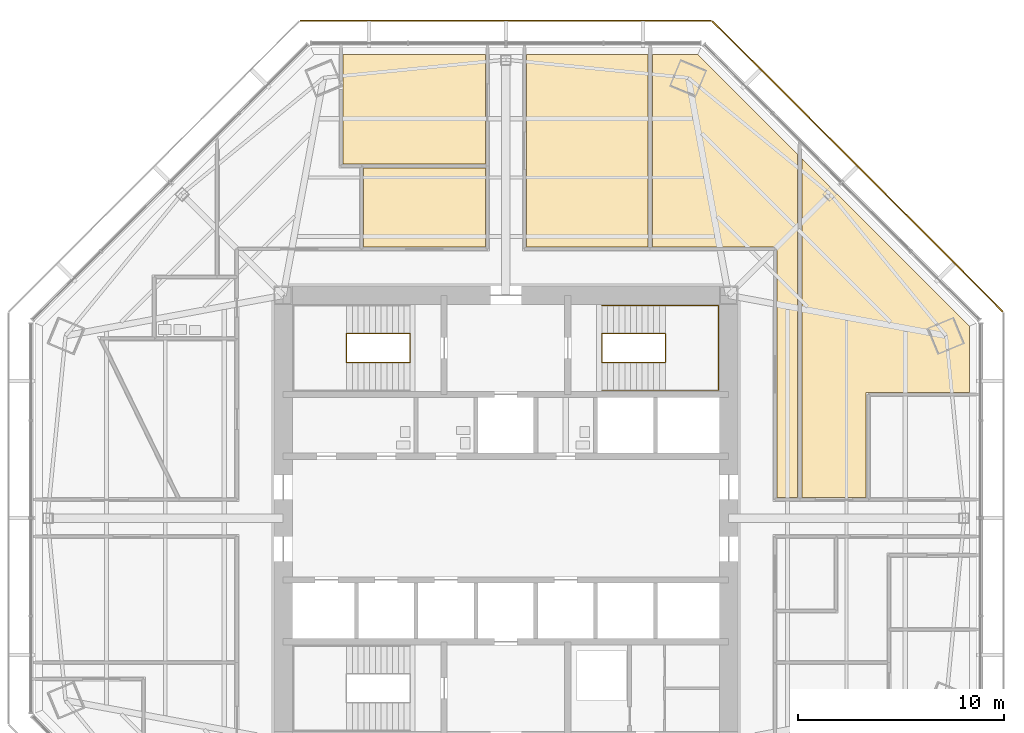
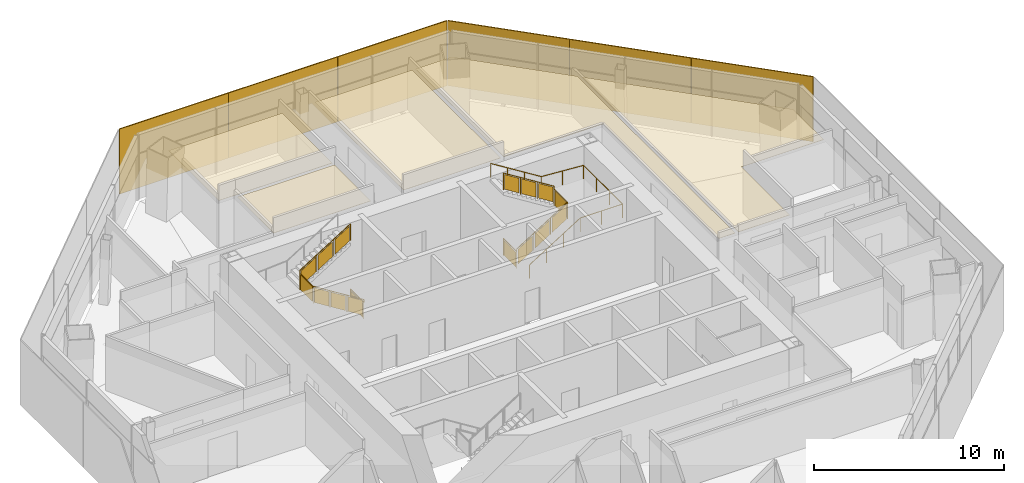
# One storey, part 14 of 15: 6 shading devices, 5 coverings, 3 railings.
"""IFC4 building model written with IfcOpenShell, lengths in metres."""

from ifc_helpers import new_model, si_unit, direction, frame, origin, origin_2d, place, context, subcontext, project, spatial, polyline, rectangle, circle, outline, extrude, source, transform, mapped, material, layer, layer_set, type_object, type_shapes, element, save


model = new_model("IFC4")

# Units and contexts
model_context = context("Model", 3, precision=1e-05, world=origin(), true_north=direction((0.0, 1.0)))
body_context = subcontext(model_context, "Body", "Model", "MODEL_VIEW")
ifc_project = project(units=[si_unit("LENGTHUNIT", "METRE"), si_unit("AREAUNIT", "SQUARE_METRE"), si_unit("VOLUMEUNIT", "CUBIC_METRE"), si_unit("PLANEANGLEUNIT", "RADIAN"), si_unit("MASSUNIT", "GRAM", prefix="KILO")], contexts=[model_context])

# Site, building, storey
site_placement = place(None, origin())
site = spatial("IfcSite", under=ifc_project, at=site_placement, CompositionType="ELEMENT")
building_placement = place(site_placement, origin())
building = spatial("IfcBuilding", under=site, at=building_placement, Name="Mashrafa Tower", CompositionType="ELEMENT")
storey_placement = place(building_placement, frame((0.0, 0.0, 176.39990234375)))
storey = spatial("IfcBuildingStorey", under=building, at=storey_placement, Name="L40", CompositionType="ELEMENT", Elevation=176.39990234375)

# Railings
ifc_material_1 = material(Name="Steel guard with glass infill", Category="steel")
railing_type_1 = type_object("IfcRailingType", Name="Stair guard 1100", PredefinedType="GUARDRAIL", material=ifc_material_1)
railing_1_placement = place(storey_placement, frame((-4.64990234375, 8.949951171875, 0.0)))
element("IfcRailing", 1, at=railing_1_placement, inside=storey, type_object=railing_type_1, Name="Stair S1 guard L40", PredefinedType="GUARDRAIL", context=body_context, shape_type="SweptSolid", body=[
    extrude(circle(Radius=0.02392578125, at=origin_2d()), frame((0.0, 0.0, 1.076171875), z_axis=(0.0, -1.0, 0.0), x_axis=(1.0, 0.0, 0.0)), (0.0, 0.0, 1.0), 1.39990234375),
    extrude(circle(Radius=0.02392578125, at=origin_2d()), frame((0.0, -1.39990234375, 1.076171875), z_axis=(0.0, 0.0, 1.0), x_axis=(1.0, 0.0, 0.0)), (0.0, 0.0, 1.0), 0.175048828125),
    extrude(circle(Radius=0.02392578125, at=origin_2d()), frame((0.0, -1.39990234375, 1.2509765625), z_axis=(-0.847998304005, 0.0, 0.529998940003), x_axis=(0.0, -1.0, 0.0)), (0.0, 0.0, 1.0), 3.632080078125),
    extrude(circle(Radius=0.02392578125, at=origin_2d()), frame((-3.080078125, -1.39990234375, 3.17626953125), z_axis=(0.0, 1.0, 0.0), x_axis=(-1.0, 0.0, 0.0)), (0.0, 0.0, 1.0), 1.39990234375),
    extrude(circle(Radius=0.02392578125, at=origin_2d()), frame((-3.080078125, 0.0, 3.17626953125), z_axis=(0.0, 0.0, 1.0), x_axis=(1.0, 0.0, 0.0)), (0.0, 0.0, 1.0), 0.175048828125),
    extrude(circle(Radius=0.02392578125, at=origin_2d()), frame((-3.080078125, 0.0, 3.35107421875), z_axis=(0.847998304005, 0.0, 0.529998940003), x_axis=(0.0, 1.0, 0.0)), (0.0, 0.0, 1.0), 3.632080078125),
    extrude(circle(Radius=0.02099609375, at=origin_2d()), origin(), (0.0, 0.0, 1.0), 1.052001953125),
    extrude(circle(Radius=0.02099609375, at=origin_2d()), frame((0.0, -1.39990234375, 0.0)), (0.0, 0.0, 1.0), 1.052001953125),
    extrude(circle(Radius=0.02099609375, at=origin_2d()), frame((0.0, -1.39990234375, 0.175048828125)), (0.0, 0.0, 1.0), 1.052001953125),
    extrude(circle(Radius=0.02099609375, at=origin_2d()), frame((-1.026611328125, -1.39990234375, 0.816650390625)), (0.0, 0.0, 1.0), 1.052001953125),
    extrude(circle(Radius=0.02099609375, at=origin_2d()), frame((-2.053466796875, -1.39990234375, 1.45849609375)), (0.0, 0.0, 1.0), 1.052001953125),
    extrude(circle(Radius=0.02099609375, at=origin_2d()), frame((-3.080078125, -1.39990234375, 2.10009765625)), (0.0, 0.0, 1.0), 1.052001953125),
    extrude(circle(Radius=0.02099609375, at=origin_2d()), frame((-3.080078125, 0.0, 2.10009765625)), (0.0, 0.0, 1.0), 1.052001953125),
    extrude(circle(Radius=0.02099609375, at=origin_2d()), frame((-3.080078125, 0.0, 2.275146484375)), (0.0, 0.0, 1.0), 1.052001953125),
    extrude(circle(Radius=0.02099609375, at=origin_2d()), frame((-2.053466796875, 0.0, 2.916748046875)), (0.0, 0.0, 1.0), 1.052001953125),
    extrude(circle(Radius=0.02099609375, at=origin_2d()), frame((-1.026611328125, 0.0, 3.55859375)), (0.0, 0.0, 1.0), 1.052001953125),
    extrude(circle(Radius=0.02099609375, at=origin_2d()), frame((0.0, 0.0, 4.2001953125)), (0.0, 0.0, 1.0), 1.052001953125),
    extrude(outline(polyline([(0.071044921875, 0.050048828125), (1.328857421875, 0.050048828125), (1.328857421875, 1.001953125), (0.071044921875, 1.001953125), (0.071044921875, 0.050048828125)])), frame((-0.006103515625, 0.0, 0.0), z_axis=(-1.0, 0.0, 0.0), x_axis=(0.0, -1.0, 0.0)), (0.0, 0.0, 1.0), 0.011962890625),
    extrude(outline(polyline([(0.071044921875, 0.094482421875), (0.955810546875, 0.647216796875), (0.955810546875, 1.599365234375), (0.071044921875, 1.04638671875), (0.071044921875, 0.094482421875)])), frame((0.0, -1.393798828125, 0.175048828125), z_axis=(0.0, 1.0, 0.0), x_axis=(-1.0, 0.0, 0.0)), (0.0, 0.0, 1.0), 0.011962890625),
    extrude(outline(polyline([(1.09765625, 0.736083984375), (1.982421875, 1.2890625), (1.982421875, 2.240966796875), (1.09765625, 1.68798828125), (1.09765625, 0.736083984375)])), frame((0.0, -1.393798828125, 0.175048828125), z_axis=(0.0, 1.0, 0.0), x_axis=(-1.0, 0.0, 0.0)), (0.0, 0.0, 1.0), 0.011962890625),
    extrude(outline(polyline([(2.124267578125, 1.377685546875), (3.009033203125, 1.9306640625), (3.009033203125, 2.882568359375), (2.124267578125, 2.329833984375), (2.124267578125, 1.377685546875)])), frame((0.0, -1.393798828125, 0.175048828125), z_axis=(0.0, 1.0, 0.0), x_axis=(-1.0, 0.0, 0.0)), (0.0, 0.0, 1.0), 0.011962890625),
    extrude(outline(polyline([(0.071044921875, 0.050048828125), (1.328857421875, 0.050048828125), (1.328857421875, 1.001953125), (0.071044921875, 1.001953125), (0.071044921875, 0.050048828125)])), frame((-3.073974609375, -1.39990234375, 2.10009765625), z_axis=(1.0, 0.0, 0.0), x_axis=(0.0, 1.0, 0.0)), (0.0, 0.0, 1.0), 0.011962890625),
    extrude(outline(polyline([(0.071044921875, 0.094482421875), (0.955810546875, 0.647216796875), (0.955810546875, 1.599365234375), (0.071044921875, 1.04638671875), (0.071044921875, 0.094482421875)])), frame((-3.080078125, -0.006103515625, 2.275146484375), z_axis=(0.0, -1.0, 0.0), x_axis=(1.0, 0.0, 0.0)), (0.0, 0.0, 1.0), 0.011962890625),
    extrude(outline(polyline([(1.09765625, 0.736083984375), (1.982421875, 1.2890625), (1.982421875, 2.240966796875), (1.09765625, 1.68798828125), (1.09765625, 0.736083984375)])), frame((-3.080078125, -0.006103515625, 2.275146484375), z_axis=(0.0, -1.0, 0.0), x_axis=(1.0, 0.0, 0.0)), (0.0, 0.0, 1.0), 0.011962890625),
    extrude(outline(polyline([(2.124267578125, 1.377685546875), (3.009033203125, 1.9306640625), (3.009033203125, 2.882568359375), (2.124267578125, 2.329833984375), (2.124267578125, 1.377685546875)])), frame((-3.080078125, -0.006103515625, 2.275146484375), z_axis=(0.0, -1.0, 0.0), x_axis=(1.0, 0.0, 0.0)), (0.0, 0.0, 1.0), 0.011962890625),
])
railing_2_placement = place(storey_placement, frame((4.64990234375, 8.949951171875, 0.0)))
element("IfcRailing", 2, at=railing_2_placement, inside=storey, type_object=railing_type_1, Name="Stair S2 guard L40", PredefinedType="GUARDRAIL", context=body_context, shape_type="SweptSolid", body=[
    extrude(circle(Radius=0.02392578125, at=origin_2d()), frame((0.0, 0.0, 1.076171875), z_axis=(0.0, -1.0, 0.0), x_axis=(1.0, 0.0, 0.0)), (0.0, 0.0, 1.0), 1.39990234375),
    extrude(circle(Radius=0.02392578125, at=origin_2d()), frame((0.0, -1.39990234375, 1.076171875), z_axis=(0.0, 0.0, 1.0), x_axis=(1.0, 0.0, 0.0)), (0.0, 0.0, 1.0), 0.175048828125),
    extrude(circle(Radius=0.02392578125, at=origin_2d()), frame((0.0, -1.39990234375, 1.2509765625), z_axis=(0.847998304005, 0.0, 0.529998940003), x_axis=(0.0, 1.0, 0.0)), (0.0, 0.0, 1.0), 3.632080078125),
    extrude(circle(Radius=0.02392578125, at=origin_2d()), frame((3.080078125, -1.39990234375, 3.17626953125), z_axis=(0.0, 1.0, 0.0), x_axis=(-1.0, 0.0, 0.0)), (0.0, 0.0, 1.0), 1.39990234375),
    extrude(circle(Radius=0.02392578125, at=origin_2d()), frame((3.080078125, 0.0, 3.17626953125), z_axis=(0.0, 0.0, 1.0), x_axis=(1.0, 0.0, 0.0)), (0.0, 0.0, 1.0), 0.175048828125),
    extrude(circle(Radius=0.02392578125, at=origin_2d()), frame((3.080078125, 0.0, 3.35107421875), z_axis=(-0.847998304005, 0.0, 0.529998940003), x_axis=(0.0, -1.0, 0.0)), (0.0, 0.0, 1.0), 3.632080078125),
    extrude(circle(Radius=0.02099609375, at=origin_2d()), origin(), (0.0, 0.0, 1.0), 1.052001953125),
    extrude(circle(Radius=0.02099609375, at=origin_2d()), frame((0.0, -1.39990234375, 0.0)), (0.0, 0.0, 1.0), 1.052001953125),
    extrude(circle(Radius=0.02099609375, at=origin_2d()), frame((0.0, -1.39990234375, 0.175048828125)), (0.0, 0.0, 1.0), 1.052001953125),
    extrude(circle(Radius=0.02099609375, at=origin_2d()), frame((1.026611328125, -1.39990234375, 0.816650390625)), (0.0, 0.0, 1.0), 1.052001953125),
    extrude(circle(Radius=0.02099609375, at=origin_2d()), frame((2.053466796875, -1.39990234375, 1.45849609375)), (0.0, 0.0, 1.0), 1.052001953125),
    extrude(circle(Radius=0.02099609375, at=origin_2d()), frame((3.080078125, -1.39990234375, 2.10009765625)), (0.0, 0.0, 1.0), 1.052001953125),
    extrude(circle(Radius=0.02099609375, at=origin_2d()), frame((3.080078125, 0.0, 2.10009765625)), (0.0, 0.0, 1.0), 1.052001953125),
    extrude(circle(Radius=0.02099609375, at=origin_2d()), frame((3.080078125, 0.0, 2.275146484375)), (0.0, 0.0, 1.0), 1.052001953125),
    extrude(circle(Radius=0.02099609375, at=origin_2d()), frame((2.053466796875, 0.0, 2.916748046875)), (0.0, 0.0, 1.0), 1.052001953125),
    extrude(circle(Radius=0.02099609375, at=origin_2d()), frame((1.026611328125, 0.0, 3.55859375)), (0.0, 0.0, 1.0), 1.052001953125),
    extrude(circle(Radius=0.02099609375, at=origin_2d()), frame((0.0, 0.0, 4.2001953125)), (0.0, 0.0, 1.0), 1.052001953125),
    extrude(outline(polyline([(0.071044921875, 0.050048828125), (1.328857421875, 0.050048828125), (1.328857421875, 1.001953125), (0.071044921875, 1.001953125), (0.071044921875, 0.050048828125)])), frame((-0.006103515625, 0.0, 0.0), z_axis=(-1.0, 0.0, 0.0), x_axis=(0.0, -1.0, 0.0)), (0.0, 0.0, 1.0), 0.011962890625),
    extrude(outline(polyline([(0.071044921875, 0.094482421875), (0.955810546875, 0.647216796875), (0.955810546875, 1.599365234375), (0.071044921875, 1.04638671875), (0.071044921875, 0.094482421875)])), frame((0.0, -1.406005859375, 0.175048828125), z_axis=(0.0, -1.0, 0.0), x_axis=(1.0, 0.0, 0.0)), (0.0, 0.0, 1.0), 0.011962890625),
    extrude(outline(polyline([(1.09765625, 0.736083984375), (1.982421875, 1.2890625), (1.982421875, 2.240966796875), (1.09765625, 1.68798828125), (1.09765625, 0.736083984375)])), frame((0.0, -1.406005859375, 0.175048828125), z_axis=(0.0, -1.0, 0.0), x_axis=(1.0, 0.0, 0.0)), (0.0, 0.0, 1.0), 0.011962890625),
    extrude(outline(polyline([(2.124267578125, 1.377685546875), (3.009033203125, 1.9306640625), (3.009033203125, 2.882568359375), (2.124267578125, 2.329833984375), (2.124267578125, 1.377685546875)])), frame((0.0, -1.406005859375, 0.175048828125), z_axis=(0.0, -1.0, 0.0), x_axis=(1.0, 0.0, 0.0)), (0.0, 0.0, 1.0), 0.011962890625),
    extrude(outline(polyline([(0.071044921875, 0.050048828125), (1.328857421875, 0.050048828125), (1.328857421875, 1.001953125), (0.071044921875, 1.001953125), (0.071044921875, 0.050048828125)])), frame((3.086181640625, -1.39990234375, 2.10009765625), z_axis=(1.0, 0.0, 0.0), x_axis=(0.0, 1.0, 0.0)), (0.0, 0.0, 1.0), 0.011962890625),
    extrude(outline(polyline([(0.071044921875, 0.094482421875), (0.955810546875, 0.647216796875), (0.955810546875, 1.599365234375), (0.071044921875, 1.04638671875), (0.071044921875, 0.094482421875)])), frame((3.080078125, 0.006103515625, 2.275146484375), z_axis=(0.0, 1.0, 0.0), x_axis=(-1.0, 0.0, 0.0)), (0.0, 0.0, 1.0), 0.011962890625),
    extrude(outline(polyline([(1.09765625, 0.736083984375), (1.982421875, 1.2890625), (1.982421875, 2.240966796875), (1.09765625, 1.68798828125), (1.09765625, 0.736083984375)])), frame((3.080078125, 0.006103515625, 2.275146484375), z_axis=(0.0, 1.0, 0.0), x_axis=(-1.0, 0.0, 0.0)), (0.0, 0.0, 1.0), 0.011962890625),
    extrude(outline(polyline([(2.124267578125, 1.377685546875), (3.009033203125, 1.9306640625), (3.009033203125, 2.882568359375), (2.124267578125, 2.329833984375), (2.124267578125, 1.377685546875)])), frame((3.080078125, 0.006103515625, 2.275146484375), z_axis=(0.0, 1.0, 0.0), x_axis=(-1.0, 0.0, 0.0)), (0.0, 0.0, 1.0), 0.011962890625),
])
ifc_material_2 = material(Name="Steel", Category="steel")
railing_type_2 = type_object("IfcRailingType", Name="Stair handrail 900", PredefinedType="HANDRAIL", material=ifc_material_2)
railing_3_placement = place(storey_placement, frame((4.64990234375, 6.199951171875, 0.175048828125)))
element("IfcRailing", 3, at=railing_3_placement, inside=storey, type_object=railing_type_2, Name="Stair S2 handrail L40", PredefinedType="HANDRAIL", context=body_context, shape_type="SweptSolid", body=[
    extrude(circle(Radius=0.02392578125, at=origin_2d()), frame((0.0, 0.0, 0.8759765625), z_axis=(0.847998304005, 0.0, 0.529998940003), x_axis=(0.0, 1.0, 0.0)), (0.0, 0.0, 1.0), 3.632080078125),
    extrude(circle(Radius=0.02392578125, at=origin_2d()), frame((3.080078125, 0.0, 2.80078125), z_axis=(1.0, 0.0, 0.0), x_axis=(0.0, 1.0, 0.0)), (0.0, 0.0, 1.0), 2.570068359375),
    extrude(circle(Radius=0.02392578125, at=origin_2d()), frame((5.650146484375, 0.0, 2.80078125), z_axis=(0.0, 1.0, 0.0), x_axis=(-1.0, 0.0, 0.0)), (0.0, 0.0, 1.0), 4.10009765625),
    extrude(circle(Radius=0.02392578125, at=origin_2d()), frame((5.650146484375, 4.10009765625, 2.80078125), z_axis=(-0.997688514158, 0.0, 0.067953136188), x_axis=(0.0, -1.0, 0.0)), (0.0, 0.0, 1.0), 2.575927734375),
    extrude(circle(Radius=0.02392578125, at=origin_2d()), frame((3.080078125, 4.10009765625, 2.97607421875), z_axis=(-0.847998304005, 0.0, 0.529998940003), x_axis=(0.0, -1.0, 0.0)), (0.0, 0.0, 1.0), 3.632080078125),
    extrude(circle(Radius=0.02099609375, at=origin_2d()), origin(), (0.0, 0.0, 1.0), 0.851806640625),
    extrude(circle(Radius=0.02099609375, at=origin_2d()), frame((1.026611328125, 0.0, 0.6416015625)), (0.0, 0.0, 1.0), 0.851806640625),
    extrude(circle(Radius=0.02099609375, at=origin_2d()), frame((2.053466796875, 0.0, 1.283447265625)), (0.0, 0.0, 1.0), 0.851806640625),
    extrude(circle(Radius=0.02099609375, at=origin_2d()), frame((3.080078125, 0.0, 1.925048828125)), (0.0, 0.0, 1.0), 0.851806640625),
    extrude(circle(Radius=0.02099609375, at=origin_2d()), frame((4.365234375, 0.0, 1.925048828125)), (0.0, 0.0, 1.0), 0.851806640625),
    extrude(circle(Radius=0.02099609375, at=origin_2d()), frame((5.650146484375, 0.0, 1.925048828125)), (0.0, 0.0, 1.0), 0.851806640625),
    extrude(circle(Radius=0.02099609375, at=origin_2d()), frame((5.650146484375, 1.36669921875, 1.925048828125)), (0.0, 0.0, 1.0), 0.851806640625),
    extrude(circle(Radius=0.02099609375, at=origin_2d()), frame((5.650146484375, 2.7333984375, 1.925048828125)), (0.0, 0.0, 1.0), 0.851806640625),
    extrude(circle(Radius=0.02099609375, at=origin_2d()), frame((5.650146484375, 4.10009765625, 1.925048828125)), (0.0, 0.0, 1.0), 0.851806640625),
    extrude(circle(Radius=0.02099609375, at=origin_2d()), frame((4.365234375, 4.10009765625, 2.0126953125)), (0.0, 0.0, 1.0), 0.851806640625),
    extrude(circle(Radius=0.02099609375, at=origin_2d()), frame((3.080078125, 4.10009765625, 2.10009765625)), (0.0, 0.0, 1.0), 0.851806640625),
    extrude(circle(Radius=0.02099609375, at=origin_2d()), frame((2.053466796875, 4.10009765625, 2.74169921875)), (0.0, 0.0, 1.0), 0.851806640625),
    extrude(circle(Radius=0.02099609375, at=origin_2d()), frame((1.026611328125, 4.10009765625, 3.383544921875)), (0.0, 0.0, 1.0), 0.851806640625),
    extrude(circle(Radius=0.02099609375, at=origin_2d()), frame((0.0, 4.10009765625, 4.025146484375)), (0.0, 0.0, 1.0), 0.851806640625),
])

# Coverings
ifc_material_3 = material(Name="Mineral fibre tile on suspension grid")
ifc_layer_1 = layer(ifc_material_3, 0.014892578125)
ifc_layer_set_1 = layer_set([ifc_layer_1], Name="Suspended ceiling mineral tile 15")
covering_type = type_object("IfcCoveringType", Name="Suspended ceiling mineral tile 15", PredefinedType="CEILING", material=ifc_layer_set_1)
covering_1_placement = place(storey_placement, frame((0.0, 0.0, 2.900146484375)))
element("IfcCovering", 4, at=covering_1_placement, inside=storey, type_object=covering_type, Name="Ceiling Board Room 40", PredefinedType="CEILING", context=body_context, shape_type="SweptSolid", body=[
    extrude(outline(polyline([(-7.89990234375, 22.474609375), (-1.0, 22.474609375), (-1.0, 17.174560546875), (-7.89990234375, 17.174560546875), (-7.89990234375, 22.474609375)])), origin(), (0.0, 0.0, 1.0), 0.014892578125),
])
covering_2_placement = place(storey_placement, frame((0.0, 0.0, 2.900146484375)))
element("IfcCovering", 5, at=covering_2_placement, inside=storey, type_object=covering_type, Name="Ceiling Board Secretariat Office 40-NE3", PredefinedType="CEILING", context=body_context, shape_type="SweptSolid", body=[
    extrude(outline(polyline([(14.35009765625, 1.0), (14.35009765625, 17.433837890625), (22.474609375, 9.309326171875), (22.474609375, 6.10009765625), (17.474609375, 6.10009765625), (17.474609375, 1.0), (14.35009765625, 1.0)])), origin(), (0.0, 0.0, 1.0), 0.014892578125),
])
covering_3_placement = place(storey_placement, frame((0.0, 0.0, 2.900146484375)))
element("IfcCovering", 6, at=covering_3_placement, inside=storey, type_object=covering_type, Name="Ceiling Corporate Affairs Office 40-NE2", PredefinedType="CEILING", context=body_context, shape_type="SweptSolid", body=[
    extrude(outline(polyline([(7.10009765625, 13.14990234375), (7.10009765625, 22.474609375), (9.309326171875, 22.474609375), (14.14990234375, 17.6337890625), (14.14990234375, 1.0), (13.14990234375, 1.0), (13.14990234375, 13.14990234375), (7.10009765625, 13.14990234375)])), origin(), (0.0, 0.0, 1.0), 0.014892578125),
])
covering_4_placement = place(storey_placement, frame((0.0, 0.0, 2.900146484375)))
element("IfcCovering", 7, at=covering_4_placement, inside=storey, type_object=covering_type, Name="Ceiling General Counsel's Office 40-NE1", PredefinedType="CEILING", context=body_context, shape_type="SweptSolid", body=[
    extrude(outline(polyline([(1.0, 22.474609375), (6.89990234375, 22.474609375), (6.89990234375, 13.14990234375), (1.0, 13.14990234375), (1.0, 22.474609375)])), origin(), (0.0, 0.0, 1.0), 0.014892578125),
])
covering_5_placement = place(storey_placement, frame((0.0, 0.0, 2.900146484375)))
element("IfcCovering", 8, at=covering_5_placement, inside=storey, type_object=covering_type, Name="Ceiling General Counsel's Office 40-NW1", PredefinedType="CEILING", context=body_context, shape_type="SweptSolid", body=[
    extrude(outline(polyline([(-6.89990234375, 13.14990234375), (-6.89990234375, 16.974609375), (-1.0, 16.974609375), (-1.0, 13.14990234375), (-6.89990234375, 13.14990234375)])), origin(), (0.0, 0.0, 1.0), 0.014892578125),
])

# Shading devices
ifc_material_4 = material(Name="Perforated aluminium plate, eight-point star pattern", Category="aluminium")
ifc_layer_2 = layer(ifc_material_4, 0.06005859375)
ifc_layer_set_2 = layer_set([ifc_layer_2], Name="Mashrabiya screen panel office zone 2, 40 percent open")
shading_device_type = type_object("IfcShadingDeviceType", Name="Mashrabiya screen panel office zone 2, 40 percent open", PredefinedType="SHUTTER", material=ifc_layer_set_2)
shared_shape = source(origin(), body_context, "Body", "SweptSolid", [
    extrude(rectangle(XDim=6.626953125, YDim=0.06005859375, at=origin_2d()), origin(), (0.0, 0.0, 1.0), 4.179931640625),
])
type_shapes(shading_device_type, [shared_shape])
for number, where, z_axis, x_axis, name in (
    (9, (21.7587890625, 12.358642578125, -0.14990234375), (0.0, 0.0, 1.0), (-0.707106781187, 0.707106781187, 0.0), "Mashrabiya screen L40 north-east 1"),
    (10, (17.05859375, 17.05859375, -0.14990234375), (0.0, 0.0, 1.0), (-0.707106781187, 0.707106781187, 0.0), "Mashrabiya screen L40 north-east 2"),
    (11, (12.358642578125, 21.7587890625, -0.14990234375), (0.0, 0.0, 1.0), (-0.707106781187, 0.707106781187, 0.0), "Mashrabiya screen L40 north-east 3"),
    (12, (6.64697265625, 24.12451171875, -0.14990234375), (0.0, 0.0, 1.0), (-1.0, 0.0, 0.0), "Mashrabiya screen L40 north 1"),
    (13, (0.0, 24.12451171875, -0.14990234375), (0.0, 0.0, 1.0), (-1.0, 0.0, 0.0), "Mashrabiya screen L40 north 2"),
    (14, (-6.64697265625, 24.12451171875, -0.14990234375), (0.0, 0.0, 1.0), (-1.0, 0.0, 0.0), "Mashrabiya screen L40 north 3"),
):
    element("IfcShadingDevice", number, at=place(storey_placement, frame(where, z_axis=z_axis, x_axis=x_axis)), inside=storey, type_object=shading_device_type, Name=name, PredefinedType="SHUTTER", context=body_context, shape_type="MappedRepresentation", body=[
        mapped(shared_shape, transform((0.0, 0.0, 0.0))),
    ])

save(model, "model.ifc")
